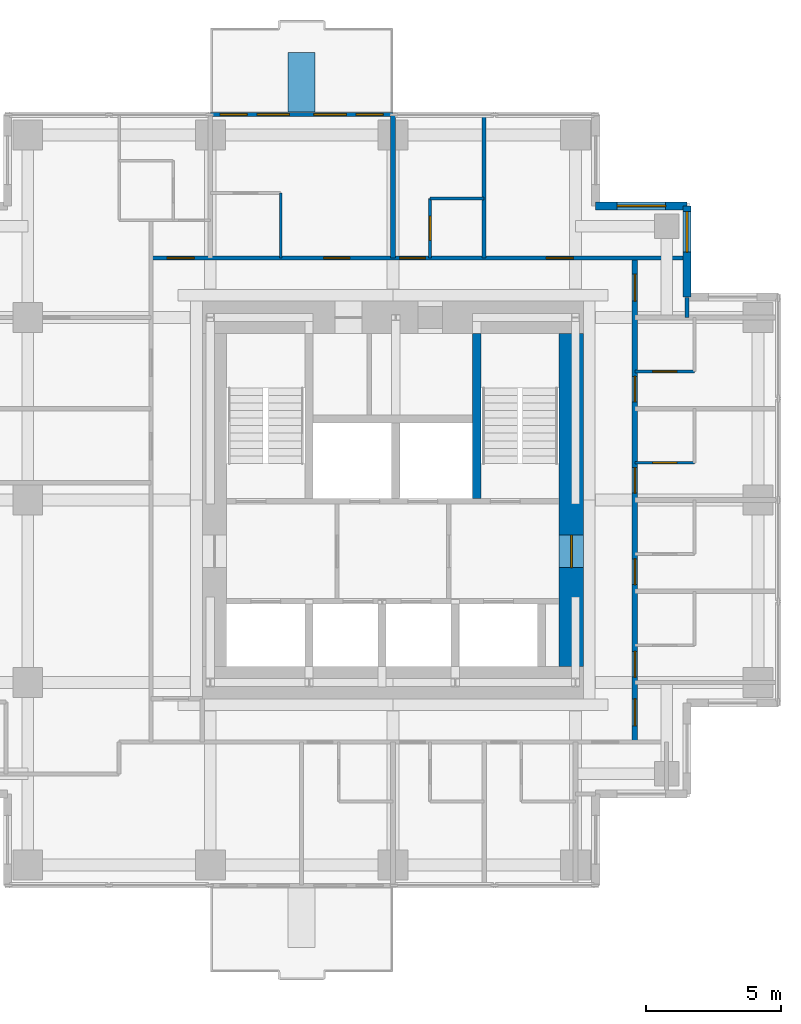
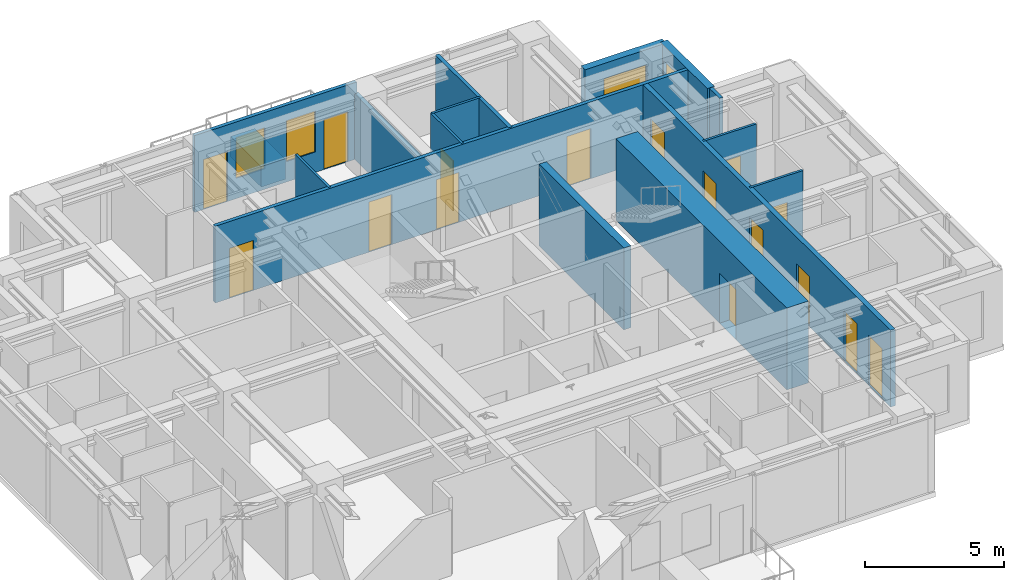
# One storey, part 6 of 8: 16 doors, 16 walls, 4 windows, 20 openings.
"""IFC4 building model written with IfcOpenShell, lengths in metres."""

from ifc_helpers import new_model, si_unit, direction, frame, frame_2d, origin, place, context, subcontext, project, spatial, rectangle, extrude, material, layer, layer_set, type_object, element, fill, save


model = new_model("IFC4")

# Units and contexts
model_context = context("Model", 3, precision=1e-05, world=origin(), true_north=direction((0.0, 1.0)))
body_context = subcontext(model_context, "Body", "Model", "MODEL_VIEW")
ifc_project = project(units=[si_unit("LENGTHUNIT", "METRE"), si_unit("AREAUNIT", "SQUARE_METRE"), si_unit("VOLUMEUNIT", "CUBIC_METRE"), si_unit("PLANEANGLEUNIT", "RADIAN"), si_unit("MASSUNIT", "GRAM", prefix="KILO")], contexts=[model_context])

# Site, building, storey
site_placement = place(None, origin())
site = spatial("IfcSite", under=ifc_project, at=site_placement, CompositionType="ELEMENT")
building_placement = place(site_placement, origin())
building = spatial("IfcBuilding", under=site, at=building_placement, Name="Nyansa Garden Tower", CompositionType="ELEMENT")
storey_placement = place(building_placement, frame((0.0, 0.0, 218.699951171875)))
storey = spatial("IfcBuildingStorey", under=building, at=storey_placement, Name="L59", CompositionType="ELEMENT", Elevation=218.699951171875)

# Wall
ifc_material_1 = material(Name="Dense blockwork, plastered both sides, 55 dB", Category="masonry")
ifc_layer_1 = layer(ifc_material_1, 0.175048828125)
ifc_layer_set_1 = layer_set([ifc_layer_1], Name="Acoustic party wall PW175")
wall_type_1 = type_object("IfcWallType", Name="Acoustic party wall PW175", PredefinedType="PARTITIONING", material=ifc_layer_set_1)
wall_1_placement = place(storey_placement, frame((20.25, 29.199951171875, 0.0), z_axis=(0.0, 0.0, 1.0), x_axis=(0.0, 1.0, 0.0)))
element("IfcWall", 1, at=wall_1_placement, inside=storey, type_object=wall_type_1, Name="Party wall", PredefinedType="PARTITIONING", context=body_context, shape_type="SweptSolid", body=[
    extrude(rectangle(XDim=5.283935546875, YDim=0.175048828125, at=frame_2d((2.64208984375, 0.0))), origin(), (0.0, 0.0, 1.0), 2.876953125),
])

# Wall, openings, doors, windows
ifc_material_2 = material(Name="Black aluminium framed glazed screen", Category="aluminium")
ifc_layer_2 = layer(ifc_material_2, 0.14990234375)
ifc_layer_set_2 = layer_set([ifc_layer_2], Name="Balcony screen wall BW150")
wall_type_2 = type_object("IfcWallType", Name="Balcony screen wall BW150", PredefinedType="SOLIDWALL", material=ifc_layer_set_2)
wall_2_placement = place(storey_placement, frame((13.5, 34.5, 0.0), z_axis=(0.0, 0.0, 1.0), x_axis=(1.0, 0.0, 0.0)))
wall_2 = element("IfcWall", 2, at=wall_2_placement, inside=storey, type_object=wall_type_2, Name="Glazed screen wall L59 N", PredefinedType="SOLIDWALL", context=body_context, shape_type="SweptSolid", body=[
    extrude(rectangle(XDim=6.75, YDim=0.14990234375, at=frame_2d((3.375, 0.0))), origin(), (0.0, 0.0, 1.0), 3.375),
])
opening_1_placement = place(wall_2_placement, frame((0.362548828125, 0.0, 0.0)))
opening_1 = element("IfcOpeningElement", 3, at=opening_1_placement, cuts=wall_2, Name="Opening D20", PredefinedType="OPENING", context=body_context, shape_type="SweptSolid", body=[
    extrude(rectangle(XDim=1.0, YDim=2.199951171875, at=frame_2d((0.5, 1.10009765625))), frame((0.0, 0.0849609375, 0.0), z_axis=(0.0, -1.0, 0.0), x_axis=(1.0, 0.0, 0.0)), (0.0, 0.0, 1.0), 0.169921875),
])
opening_2_placement = place(wall_2_placement, frame((1.72509765625, 0.0, 0.89990234375)))
opening_2 = element("IfcOpeningElement", 4, at=opening_2_placement, cuts=wall_2, Name="Opening W6", PredefinedType="OPENING", context=body_context, shape_type="SweptSolid", body=[
    extrude(rectangle(XDim=1.199951171875, YDim=1.800048828125, at=frame_2d((0.60009765625, 0.89990234375))), frame((0.0, 0.0849609375, 0.0), z_axis=(0.0, -1.0, 0.0), x_axis=(1.0, 0.0, 0.0)), (0.0, 0.0, 1.0), 0.169921875),
])
opening_3_placement = place(wall_2_placement, frame((5.387451171875, 0.0, 0.0)))
opening_3 = element("IfcOpeningElement", 5, at=opening_3_placement, cuts=wall_2, Name="Opening D20", PredefinedType="OPENING", context=body_context, shape_type="SweptSolid", body=[
    extrude(rectangle(XDim=1.0, YDim=2.199951171875, at=frame_2d((0.5, 1.10009765625))), frame((0.0, 0.0849609375, 0.0), z_axis=(0.0, -1.0, 0.0), x_axis=(1.0, 0.0, 0.0)), (0.0, 0.0, 1.0), 0.169921875),
])
opening_4_placement = place(wall_2_placement, frame((3.824951171875, 0.0, 0.89990234375)))
opening_4 = element("IfcOpeningElement", 6, at=opening_4_placement, cuts=wall_2, Name="Opening W6", PredefinedType="OPENING", context=body_context, shape_type="SweptSolid", body=[
    extrude(rectangle(XDim=1.199951171875, YDim=1.800048828125, at=frame_2d((0.60009765625, 0.89990234375))), frame((0.0, 0.0849609375, 0.0), z_axis=(0.0, -1.0, 0.0), x_axis=(1.0, 0.0, 0.0)), (0.0, 0.0, 1.0), 0.169921875),
])
ifc_material_3 = material(Name="Black aluminium framed glazed door", Category="aluminium")
door_type_1 = type_object("IfcDoorType", Name="Balcony door D20 1000x2200", OperationType="NOTDEFINED", PredefinedType="DOOR", material=ifc_material_3)
door_1_placement = place(opening_1_placement, origin())
door_1 = element("IfcDoor", 7, at=door_1_placement, inside=storey, type_object=door_type_1, Name="Balcony door L59", OperationType="SINGLE_SWING_LEFT", OverallHeight=2.199951171875, OverallWidth=1.0, PredefinedType="DOOR", context=body_context, shape_type="SweptSolid", body=[
    extrude(rectangle(XDim=1.0, YDim=2.199951171875, at=frame_2d((0.5, 1.10009765625))), frame((0.0, 0.02490234375, 0.0), z_axis=(0.0, -1.0, 0.0), x_axis=(1.0, 0.0, 0.0)), (0.0, 0.0, 1.0), 0.050048828125),
])
fill(opening_1, door_1)
door_2_placement = place(opening_3_placement, origin())
door_2 = element("IfcDoor", 8, at=door_2_placement, inside=storey, type_object=door_type_1, Name="Balcony door L59", OperationType="SINGLE_SWING_RIGHT", OverallHeight=2.199951171875, OverallWidth=1.0, PredefinedType="DOOR", context=body_context, shape_type="SweptSolid", body=[
    extrude(rectangle(XDim=1.0, YDim=2.199951171875, at=frame_2d((0.5, 1.10009765625))), frame((0.0, 0.02490234375, 0.0), z_axis=(0.0, -1.0, 0.0), x_axis=(1.0, 0.0, 0.0)), (0.0, 0.0, 1.0), 0.050048828125),
])
fill(opening_3, door_2)
ifc_material_4 = material(Name="Black aluminium frame, dark tinted double glazing", Category="aluminium")
window_type_1 = type_object("IfcWindowType", Name="Balcony window W6 1200x1800", PartitioningType="SINGLE_PANEL", PredefinedType="WINDOW", material=ifc_material_4)
window_1_placement = place(opening_2_placement, origin())
window_1 = element("IfcWindow", 9, at=window_1_placement, inside=storey, type_object=window_type_1, Name="Window L59", OverallHeight=1.800048828125, OverallWidth=1.199951171875, PartitioningType="SINGLE_PANEL", PredefinedType="WINDOW", context=body_context, shape_type="SweptSolid", body=[
    extrude(rectangle(XDim=1.199951171875, YDim=1.800048828125, at=frame_2d((0.60009765625, 0.89990234375))), frame((0.0, 0.030029296875, 0.0), z_axis=(0.0, -1.0, 0.0), x_axis=(1.0, 0.0, 0.0)), (0.0, 0.0, 1.0), 0.06005859375),
])
fill(opening_2, window_1)
window_2_placement = place(opening_4_placement, origin())
window_2 = element("IfcWindow", 10, at=window_2_placement, inside=storey, type_object=window_type_1, Name="Window L59", OverallHeight=1.800048828125, OverallWidth=1.199951171875, PartitioningType="SINGLE_PANEL", PredefinedType="WINDOW", context=body_context, shape_type="SweptSolid", body=[
    extrude(rectangle(XDim=1.199951171875, YDim=1.800048828125, at=frame_2d((0.60009765625, 0.89990234375))), frame((0.0, 0.030029296875, 0.0), z_axis=(0.0, -1.0, 0.0), x_axis=(1.0, 0.0, 0.0)), (0.0, 0.0, 1.0), 0.06005859375),
])
fill(opening_4, window_2)

# Wall
ifc_material_5 = material(Name="Concrete C70/85", Category="concrete")
ifc_layer_3 = layer(ifc_material_5, 0.300048828125)
ifc_layer_set_3 = layer_set([ifc_layer_3], Name="Core inner wall CI300")
wall_type_3 = type_object("IfcWallType", Name="Core inner wall CI300", PredefinedType="SHEAR", material=ifc_layer_set_3)
wall_3_placement = place(storey_placement, frame((23.35009765625, 20.300048828125, 0.0), z_axis=(0.0, 0.0, 1.0), x_axis=(0.0, 1.0, 0.0)))
element("IfcWall", 11, at=wall_3_placement, inside=storey, type_object=wall_type_3, Name="Core inner wall L59", PredefinedType="SHEAR", context=body_context, shape_type="SweptSolid", body=[
    extrude(rectangle(XDim=6.099853515625, YDim=0.300048828125, at=frame_2d((3.0498046875, 0.0))), origin(), (0.0, 0.0, 1.0), 3.60009765625),
])

# Wall, opening, door
ifc_material_6 = material(Name="Concrete C80/95", Category="concrete")
ifc_layer_4 = layer(ifc_material_6, 0.89990234375)
ifc_layer_set_4 = layer_set([ifc_layer_4], Name="Core wall CW900")
wall_type_4 = type_object("IfcWallType", Name="Core wall CW900", PredefinedType="SHEAR", material=ifc_layer_set_4)
wall_4_placement = place(storey_placement, frame((26.85009765625, 14.10009765625, 0.0), z_axis=(0.0, 0.0, 1.0), x_axis=(0.0, 1.0, 0.0)))
wall_4 = element("IfcWall", 12, at=wall_4_placement, inside=storey, type_object=wall_type_4, Name="Core wall E L59", PredefinedType="SHEAR", context=body_context, shape_type="SweptSolid", body=[
    extrude(rectangle(XDim=12.2998046875, YDim=0.89990234375, at=frame_2d((6.14990234375, 0.0))), origin(), (0.0, 0.0, 1.0), 3.60009765625),
])
opening_5_placement = place(wall_4_placement, frame((3.64990234375, 0.0, 0.0)))
opening_5 = element("IfcOpeningElement", 13, at=opening_5_placement, cuts=wall_4, Name="Opening D06", PredefinedType="OPENING", context=body_context, shape_type="SweptSolid", body=[
    extrude(rectangle(XDim=1.199951171875, YDim=2.199951171875, at=frame_2d((0.60009765625, 1.10009765625))), frame((0.0, 0.4599609375, 0.0), z_axis=(0.0, -1.0, 0.0), x_axis=(1.0, 0.0, 0.0)), (0.0, 0.0, 1.0), 0.919921875),
])
ifc_material_7 = material(Name="Steel door, 120 minute fire resisting", Category="steel")
door_type_2 = type_object("IfcDoorType", Name="Lobby door D06 1200x2200", OperationType="DOUBLE_DOOR_SINGLE_SWING", PredefinedType="DOOR", material=ifc_material_7)
door_3_placement = place(opening_5_placement, origin())
door_3 = element("IfcDoor", 14, at=door_3_placement, inside=storey, type_object=door_type_2, Name="Lift lobby door east", OperationType="DOUBLE_DOOR_SINGLE_SWING", OverallHeight=2.199951171875, OverallWidth=1.199951171875, PredefinedType="DOOR", context=body_context, shape_type="SweptSolid", body=[
    extrude(rectangle(XDim=1.199951171875, YDim=2.199951171875, at=frame_2d((0.60009765625, 1.10009765625))), frame((0.0, 0.02490234375, 0.0), z_axis=(0.0, -1.0, 0.0), x_axis=(1.0, 0.0, 0.0)), (0.0, 0.0, 1.0), 0.050048828125),
])
fill(opening_5, door_3)

# Wall, openings, doors
ifc_material_8 = material(Name="Concrete blockwork, plastered, 60 minute fire resisting", Category="masonry")
ifc_layer_5 = layer(ifc_material_8, 0.199951171875)
ifc_layer_set_5 = layer_set([ifc_layer_5], Name="Corridor wall FW200")
wall_type_5 = type_object("IfcWallType", Name="Corridor wall FW200", PredefinedType="PARTITIONING", material=ifc_layer_set_5)
wall_5_placement = place(storey_placement, frame((29.199951171875, 11.300048828125, 0.0), z_axis=(0.0, 0.0, 1.0), x_axis=(0.0, 1.0, 0.0)))
wall_5 = element("IfcWall", 15, at=wall_5_placement, inside=storey, type_object=wall_type_5, Name="Corridor wall", PredefinedType="PARTITIONING", context=body_context, shape_type="SweptSolid", body=[
    extrude(rectangle(XDim=17.89990234375, YDim=0.199951171875, at=frame_2d((8.949951171875, 0.0))), origin(), (0.0, 0.0, 1.0), 3.375),
])
opening_6_placement = place(wall_5_placement, frame((0.60009765625, 0.0, 0.0)))
opening_6 = element("IfcOpeningElement", 16, at=opening_6_placement, cuts=wall_5, Name="Opening D03", PredefinedType="OPENING", context=body_context, shape_type="SweptSolid", body=[
    extrude(rectangle(XDim=1.0, YDim=2.199951171875, at=frame_2d((0.5, 1.10009765625))), frame((0.0, 0.10986328125, 0.0), z_axis=(0.0, -1.0, 0.0), x_axis=(1.0, 0.0, 0.0)), (0.0, 0.0, 1.0), 0.219970703125),
])
opening_7_placement = place(wall_5_placement, frame((2.39990234375, 0.0, 0.0)))
opening_7 = element("IfcOpeningElement", 17, at=opening_7_placement, cuts=wall_5, Name="Opening D14", PredefinedType="OPENING", context=body_context, shape_type="SweptSolid", body=[
    extrude(rectangle(XDim=0.949951171875, YDim=2.199951171875, at=frame_2d((0.47509765625, 1.10009765625))), frame((0.0, 0.10986328125, 0.0), z_axis=(0.0, -1.0, 0.0), x_axis=(1.0, 0.0, 0.0)), (0.0, 0.0, 1.0), 0.219970703125),
])
opening_8_placement = place(wall_5_placement, frame((5.824951171875, 0.0, 0.0)))
opening_8 = element("IfcOpeningElement", 18, at=opening_8_placement, cuts=wall_5, Name="Opening D14", PredefinedType="OPENING", context=body_context, shape_type="SweptSolid", body=[
    extrude(rectangle(XDim=0.949951171875, YDim=2.199951171875, at=frame_2d((0.47509765625, 1.10009765625))), frame((0.0, 0.10986328125, 0.0), z_axis=(0.0, -1.0, 0.0), x_axis=(1.0, 0.0, 0.0)), (0.0, 0.0, 1.0), 0.219970703125),
])
opening_9_placement = place(wall_5_placement, frame((9.199951171875, 0.0, 0.0)))
opening_9 = element("IfcOpeningElement", 19, at=opening_9_placement, cuts=wall_5, Name="Opening D14", PredefinedType="OPENING", context=body_context, shape_type="SweptSolid", body=[
    extrude(rectangle(XDim=0.949951171875, YDim=2.199951171875, at=frame_2d((0.47509765625, 1.10009765625))), frame((0.0, 0.10986328125, 0.0), z_axis=(0.0, -1.0, 0.0), x_axis=(1.0, 0.0, 0.0)), (0.0, 0.0, 1.0), 0.219970703125),
])
opening_10_placement = place(wall_5_placement, frame((12.574951171875, 0.0, 0.0)))
opening_10 = element("IfcOpeningElement", 20, at=opening_10_placement, cuts=wall_5, Name="Opening D14", PredefinedType="OPENING", context=body_context, shape_type="SweptSolid", body=[
    extrude(rectangle(XDim=0.949951171875, YDim=2.199951171875, at=frame_2d((0.47509765625, 1.10009765625))), frame((0.0, 0.10986328125, 0.0), z_axis=(0.0, -1.0, 0.0), x_axis=(1.0, 0.0, 0.0)), (0.0, 0.0, 1.0), 0.219970703125),
])
opening_11_placement = place(wall_5_placement, frame((16.300048828125, 0.0, 0.0)))
opening_11 = element("IfcOpeningElement", 21, at=opening_11_placement, cuts=wall_5, Name="Opening D03", PredefinedType="OPENING", context=body_context, shape_type="SweptSolid", body=[
    extrude(rectangle(XDim=1.0, YDim=2.199951171875, at=frame_2d((0.5, 1.10009765625))), frame((0.0, 0.10986328125, 0.0), z_axis=(0.0, -1.0, 0.0), x_axis=(1.0, 0.0, 0.0)), (0.0, 0.0, 1.0), 0.219970703125),
])
ifc_material_9 = material(Name="Timber flush door, 60 minute fire resisting", Category="wood")
door_type_3 = type_object("IfcDoorType", Name="Cluster entrance door D03 1000x2200", OperationType="SINGLE_SWING_LEFT", PredefinedType="DOOR", material=ifc_material_9)
door_4_placement = place(opening_6_placement, origin())
door_4 = element("IfcDoor", 22, at=door_4_placement, inside=storey, type_object=door_type_3, Name="Door L59-025", OperationType="SINGLE_SWING_LEFT", OverallHeight=2.199951171875, OverallWidth=1.0, PredefinedType="DOOR", context=body_context, shape_type="SweptSolid", body=[
    extrude(rectangle(XDim=1.0, YDim=2.199951171875, at=frame_2d((0.5, 1.10009765625))), frame((0.0, 0.02490234375, 0.0), z_axis=(0.0, -1.0, 0.0), x_axis=(1.0, 0.0, 0.0)), (0.0, 0.0, 1.0), 0.050048828125),
])
fill(opening_6, door_4)
door_5_placement = place(opening_11_placement, origin())
door_5 = element("IfcDoor", 23, at=door_5_placement, inside=storey, type_object=door_type_3, Name="Door L59-034", OperationType="SINGLE_SWING_LEFT", OverallHeight=2.199951171875, OverallWidth=1.0, PredefinedType="DOOR", context=body_context, shape_type="SweptSolid", body=[
    extrude(rectangle(XDim=1.0, YDim=2.199951171875, at=frame_2d((0.5, 1.10009765625))), frame((0.0, 0.02490234375, 0.0), z_axis=(0.0, -1.0, 0.0), x_axis=(1.0, 0.0, 0.0)), (0.0, 0.0, 1.0), 0.050048828125),
])
fill(opening_11, door_5)
ifc_material_10 = material(Name="Timber flush door, 60 minute fire resisting, self-closing", Category="wood")
door_type_4 = type_object("IfcDoorType", Name="Studio entrance door D14 950x2200", OperationType="SINGLE_SWING_LEFT", PredefinedType="DOOR", material=ifc_material_10)
door_6_placement = place(opening_7_placement, origin())
door_6 = element("IfcDoor", 24, at=door_6_placement, inside=storey, type_object=door_type_4, Name="Door L59-026", OperationType="SINGLE_SWING_LEFT", OverallHeight=2.199951171875, OverallWidth=0.949951171875, PredefinedType="DOOR", context=body_context, shape_type="SweptSolid", body=[
    extrude(rectangle(XDim=0.949951171875, YDim=2.199951171875, at=frame_2d((0.47509765625, 1.10009765625))), frame((0.0, 0.02490234375, 0.0), z_axis=(0.0, -1.0, 0.0), x_axis=(1.0, 0.0, 0.0)), (0.0, 0.0, 1.0), 0.050048828125),
])
fill(opening_7, door_6)
door_7_placement = place(opening_8_placement, origin())
door_7 = element("IfcDoor", 25, at=door_7_placement, inside=storey, type_object=door_type_4, Name="Door L59-028", OperationType="SINGLE_SWING_LEFT", OverallHeight=2.199951171875, OverallWidth=0.949951171875, PredefinedType="DOOR", context=body_context, shape_type="SweptSolid", body=[
    extrude(rectangle(XDim=0.949951171875, YDim=2.199951171875, at=frame_2d((0.47509765625, 1.10009765625))), frame((0.0, 0.02490234375, 0.0), z_axis=(0.0, -1.0, 0.0), x_axis=(1.0, 0.0, 0.0)), (0.0, 0.0, 1.0), 0.050048828125),
])
fill(opening_8, door_7)
door_8_placement = place(opening_9_placement, origin())
door_8 = element("IfcDoor", 26, at=door_8_placement, inside=storey, type_object=door_type_4, Name="Door L59-030", OperationType="SINGLE_SWING_LEFT", OverallHeight=2.199951171875, OverallWidth=0.949951171875, PredefinedType="DOOR", context=body_context, shape_type="SweptSolid", body=[
    extrude(rectangle(XDim=0.949951171875, YDim=2.199951171875, at=frame_2d((0.47509765625, 1.10009765625))), frame((0.0, 0.02490234375, 0.0), z_axis=(0.0, -1.0, 0.0), x_axis=(1.0, 0.0, 0.0)), (0.0, 0.0, 1.0), 0.050048828125),
])
fill(opening_9, door_8)
door_9_placement = place(opening_10_placement, origin())
door_9 = element("IfcDoor", 27, at=door_9_placement, inside=storey, type_object=door_type_4, Name="Door L59-032", OperationType="SINGLE_SWING_LEFT", OverallHeight=2.199951171875, OverallWidth=0.949951171875, PredefinedType="DOOR", context=body_context, shape_type="SweptSolid", body=[
    extrude(rectangle(XDim=0.949951171875, YDim=2.199951171875, at=frame_2d((0.47509765625, 1.10009765625))), frame((0.0, 0.02490234375, 0.0), z_axis=(0.0, -1.0, 0.0), x_axis=(1.0, 0.0, 0.0)), (0.0, 0.0, 1.0), 0.050048828125),
])
fill(opening_10, door_9)

ifc_material_11 = material(Name="Blockwork, plastered both sides", Category="masonry")
ifc_layer_6 = layer(ifc_material_11, 0.14990234375)
ifc_layer_set_6 = layer_set([ifc_layer_6], Name="Partition PW150")
wall_type_6 = type_object("IfcWallType", Name="Partition PW150", PredefinedType="PARTITIONING", material=ifc_layer_set_6)
wall_6_placement = place(storey_placement, frame((11.300048828125, 29.199951171875, 0.0), z_axis=(0.0, 0.0, 1.0), x_axis=(1.0, 0.0, 0.0)))
wall_6 = element("IfcWall", 28, at=wall_6_placement, inside=storey, type_object=wall_type_6, Name="Partition", PredefinedType="PARTITIONING", context=body_context, shape_type="SweptSolid", body=[
    extrude(rectangle(XDim=19.808837890625, YDim=0.14990234375, at=frame_2d((9.904296875, 0.0))), origin(), (0.0, 0.0, 1.0), 3.375),
])
opening_12_placement = place(wall_6_placement, frame((14.625, 0.0, 0.0)))
opening_12 = element("IfcOpeningElement", 29, at=opening_12_placement, cuts=wall_6, Name="Opening D03", PredefinedType="OPENING", context=body_context, shape_type="SweptSolid", body=[
    extrude(rectangle(XDim=1.0, YDim=2.199951171875, at=frame_2d((0.5, 1.10009765625))), frame((0.0, 0.0849609375, 0.0), z_axis=(0.0, -1.0, 0.0), x_axis=(1.0, 0.0, 0.0)), (0.0, 0.0, 1.0), 0.169921875),
])
opening_13_placement = place(wall_6_placement, frame((6.39990234375, 0.0, 0.0)))
opening_13 = element("IfcOpeningElement", 30, at=opening_13_placement, cuts=wall_6, Name="Opening D14", PredefinedType="OPENING", context=body_context, shape_type="SweptSolid", body=[
    extrude(rectangle(XDim=0.949951171875, YDim=2.199951171875, at=frame_2d((0.47509765625, 1.10009765625))), frame((0.0, 0.0849609375, 0.0), z_axis=(0.0, -1.0, 0.0), x_axis=(1.0, 0.0, 0.0)), (0.0, 0.0, 1.0), 0.169921875),
])
opening_14_placement = place(wall_6_placement, frame((9.199951171875, 0.0, 0.0)))
opening_14 = element("IfcOpeningElement", 31, at=opening_14_placement, cuts=wall_6, Name="Opening D14", PredefinedType="OPENING", context=body_context, shape_type="SweptSolid", body=[
    extrude(rectangle(XDim=0.949951171875, YDim=2.199951171875, at=frame_2d((0.47509765625, 1.10009765625))), frame((0.0, 0.0849609375, 0.0), z_axis=(0.0, -1.0, 0.0), x_axis=(1.0, 0.0, 0.0)), (0.0, 0.0, 1.0), 0.169921875),
])
opening_15_placement = place(wall_6_placement, frame((0.60009765625, 0.0, 0.0)))
opening_15 = element("IfcOpeningElement", 32, at=opening_15_placement, cuts=wall_6, Name="Opening D03", PredefinedType="OPENING", context=body_context, shape_type="SweptSolid", body=[
    extrude(rectangle(XDim=1.0, YDim=2.199951171875, at=frame_2d((0.5, 1.10009765625))), frame((0.0, 0.0849609375, 0.0), z_axis=(0.0, -1.0, 0.0), x_axis=(1.0, 0.0, 0.0)), (0.0, 0.0, 1.0), 0.169921875),
])
door_10_placement = place(opening_12_placement, origin())
door_10 = element("IfcDoor", 33, at=door_10_placement, inside=storey, type_object=door_type_3, Name="Door L59-035", OperationType="SINGLE_SWING_LEFT", OverallHeight=2.199951171875, OverallWidth=1.0, PredefinedType="DOOR", context=body_context, shape_type="SweptSolid", body=[
    extrude(rectangle(XDim=1.0, YDim=2.199951171875, at=frame_2d((0.5, 1.10009765625))), frame((0.0, 0.02490234375, 0.0), z_axis=(0.0, -1.0, 0.0), x_axis=(1.0, 0.0, 0.0)), (0.0, 0.0, 1.0), 0.050048828125),
])
fill(opening_12, door_10)
door_11_placement = place(opening_15_placement, origin())
door_11 = element("IfcDoor", 34, at=door_11_placement, inside=storey, type_object=door_type_3, Name="Door L59-042", OperationType="SINGLE_SWING_LEFT", OverallHeight=2.199951171875, OverallWidth=1.0, PredefinedType="DOOR", context=body_context, shape_type="SweptSolid", body=[
    extrude(rectangle(XDim=1.0, YDim=2.199951171875, at=frame_2d((0.5, 1.10009765625))), frame((0.0, 0.02490234375, 0.0), z_axis=(0.0, -1.0, 0.0), x_axis=(1.0, 0.0, 0.0)), (0.0, 0.0, 1.0), 0.050048828125),
])
fill(opening_15, door_11)
door_12_placement = place(opening_13_placement, origin())
door_12 = element("IfcDoor", 35, at=door_12_placement, inside=storey, type_object=door_type_4, Name="Door L59-036", OperationType="SINGLE_SWING_LEFT", OverallHeight=2.199951171875, OverallWidth=0.949951171875, PredefinedType="DOOR", context=body_context, shape_type="SweptSolid", body=[
    extrude(rectangle(XDim=0.949951171875, YDim=2.199951171875, at=frame_2d((0.47509765625, 1.10009765625))), frame((0.0, 0.02490234375, 0.0), z_axis=(0.0, -1.0, 0.0), x_axis=(1.0, 0.0, 0.0)), (0.0, 0.0, 1.0), 0.050048828125),
])
fill(opening_13, door_12)
door_13_placement = place(opening_14_placement, origin())
door_13 = element("IfcDoor", 36, at=door_13_placement, inside=storey, type_object=door_type_4, Name="Door L59-040", OperationType="SINGLE_SWING_LEFT", OverallHeight=2.199951171875, OverallWidth=0.949951171875, PredefinedType="DOOR", context=body_context, shape_type="SweptSolid", body=[
    extrude(rectangle(XDim=0.949951171875, YDim=2.199951171875, at=frame_2d((0.47509765625, 1.10009765625))), frame((0.0, 0.02490234375, 0.0), z_axis=(0.0, -1.0, 0.0), x_axis=(1.0, 0.0, 0.0)), (0.0, 0.0, 1.0), 0.050048828125),
])
fill(opening_14, door_13)

# Walls
wall_7_placement = place(storey_placement, frame((23.625, 29.199951171875, 0.0), z_axis=(0.0, 0.0, 1.0), x_axis=(0.0, 1.0, 0.0)))
element("IfcWall", 37, at=wall_7_placement, inside=storey, type_object=wall_type_6, Name="Partition", PredefinedType="PARTITIONING", context=body_context, shape_type="SweptSolid", body=[
    extrude(rectangle(XDim=5.283935546875, YDim=0.14990234375, at=frame_2d((2.64208984375, 0.0))), origin(), (0.0, 0.0, 1.0), 3.375),
])
wall_8_placement = place(storey_placement, frame((31.125, 27.0, 0.0), z_axis=(0.0, 0.0, 1.0), x_axis=(0.0, 1.0, 0.0)))
element("IfcWall", 38, at=wall_8_placement, inside=storey, type_object=wall_type_6, Name="Partition", PredefinedType="PARTITIONING", context=body_context, shape_type="SweptSolid", body=[
    extrude(rectangle(XDim=0.73388671875, YDim=0.14990234375, at=frame_2d((0.366943359375, 0.0))), origin(), (0.0, 0.0, 1.0), 3.375),
])

# Wall, opening, window
ifc_material_12 = material(Name="Turquoise glazed tile on concrete blockwork", Category="masonry")
ifc_layer_7 = layer(ifc_material_12, 0.300048828125)
ifc_layer_set_7 = layer_set([ifc_layer_7], Name="Tiled corner wall TW300")
wall_type_7 = type_object("IfcWallType", Name="Tiled corner wall TW300", PredefinedType="SOLIDWALL", material=ifc_layer_set_7)
wall_9_placement = place(storey_placement, frame((31.125, 27.75, 0.0), z_axis=(0.0, 0.0, 1.0), x_axis=(0.0, 1.0, 0.0)))
wall_9 = element("IfcWall", 39, at=wall_9_placement, inside=storey, type_object=wall_type_7, Name="Tiled corner wall L59", PredefinedType="SOLIDWALL", context=body_context, shape_type="SweptSolid", body=[
    extrude(rectangle(XDim=3.375, YDim=0.300048828125, at=frame_2d((1.6875, 0.0))), origin(), (0.0, 0.0, 1.0), 3.375),
])
opening_16_placement = place(wall_9_placement, frame((1.66259765625, 0.0, 0.89990234375)))
opening_16 = element("IfcOpeningElement", 40, at=opening_16_placement, cuts=wall_9, Name="Opening W1", PredefinedType="OPENING", context=body_context, shape_type="SweptSolid", body=[
    extrude(rectangle(XDim=1.5, YDim=1.800048828125, at=frame_2d((0.75, 0.89990234375))), frame((0.0, 0.159912109375, 0.0), z_axis=(0.0, -1.0, 0.0), x_axis=(1.0, 0.0, 0.0)), (0.0, 0.0, 1.0), 0.320068359375),
])
ifc_material_13 = material(Name="Black aluminium frame, dark tinted double glazing", Category="aluminium")
window_type_2 = type_object("IfcWindowType", Name="Window W1 1500x1800", PartitioningType="SINGLE_PANEL", PredefinedType="WINDOW", material=ifc_material_13)
window_3_placement = place(opening_16_placement, origin())
window_3 = element("IfcWindow", 41, at=window_3_placement, inside=storey, type_object=window_type_2, Name="Corner window L59", OverallHeight=1.800048828125, OverallWidth=1.5, PartitioningType="SINGLE_PANEL", PredefinedType="WINDOW", context=body_context, shape_type="SweptSolid", body=[
    extrude(rectangle(XDim=1.5, YDim=1.800048828125, at=frame_2d((0.75, 0.89990234375))), frame((0.0, 0.030029296875, 0.0), z_axis=(0.0, -1.0, 0.0), x_axis=(1.0, 0.0, 0.0)), (0.0, 0.0, 1.0), 0.06005859375),
])
fill(opening_16, window_3)

wall_10_placement = place(storey_placement, frame((31.125, 31.125, 0.0), z_axis=(0.0, 0.0, 1.0), x_axis=(-1.0, 0.0, 0.0)))
wall_10 = element("IfcWall", 42, at=wall_10_placement, inside=storey, type_object=wall_type_7, Name="Tiled corner wall L59", PredefinedType="SOLIDWALL", context=body_context, shape_type="SweptSolid", body=[
    extrude(rectangle(XDim=3.375, YDim=0.300048828125, at=frame_2d((1.6875, 0.0))), origin(), (0.0, 0.0, 1.0), 3.375),
])
opening_17_placement = place(wall_10_placement, frame((0.78759765625, 0.0, 0.60009765625)))
opening_17 = element("IfcOpeningElement", 43, at=opening_17_placement, cuts=wall_10, Name="Opening W2", PredefinedType="OPENING", context=body_context, shape_type="SweptSolid", body=[
    extrude(rectangle(XDim=1.800048828125, YDim=2.10009765625, at=frame_2d((0.89990234375, 1.050048828125))), frame((0.0, 0.159912109375, 0.0), z_axis=(0.0, -1.0, 0.0), x_axis=(1.0, 0.0, 0.0)), (0.0, 0.0, 1.0), 0.320068359375),
])
ifc_material_14 = material(Name="Black aluminium frame, dark tinted double glazing", Category="aluminium")
window_type_3 = type_object("IfcWindowType", Name="Window W2 1800x2100", PartitioningType="SINGLE_PANEL", PredefinedType="WINDOW", material=ifc_material_14)
window_4_placement = place(opening_17_placement, origin())
window_4 = element("IfcWindow", 44, at=window_4_placement, inside=storey, type_object=window_type_3, Name="Corner window L59", OverallHeight=2.10009765625, OverallWidth=1.800048828125, PartitioningType="SINGLE_PANEL", PredefinedType="WINDOW", context=body_context, shape_type="SweptSolid", body=[
    extrude(rectangle(XDim=1.800048828125, YDim=2.10009765625, at=frame_2d((0.89990234375, 1.050048828125))), frame((0.0, 0.030029296875, 0.0), z_axis=(0.0, -1.0, 0.0), x_axis=(1.0, 0.0, 0.0)), (0.0, 0.0, 1.0), 0.06005859375),
])
fill(opening_17, window_4)

# Walls
ifc_material_15 = material(Name="Concrete C40/50 planter, waterproofed", Category="concrete")
ifc_layer_8 = layer(ifc_material_15, 1.0)
ifc_layer_set_8 = layer_set([ifc_layer_8], Name="Tree planter TP1")
wall_type_8 = type_object("IfcWallType", Name="Tree planter TP1", PredefinedType="USERDEFINED", material=ifc_layer_set_8)
wall_11_placement = place(storey_placement, frame((16.875, 34.60009765625, 0.0), z_axis=(0.0, 0.0, 1.0), x_axis=(0.0, 1.0, 0.0)))
element("IfcWall", 45, at=wall_11_placement, inside=storey, type_object=wall_type_8, Name="Tree planter L59", ObjectType="TREE PLANTER", PredefinedType="USERDEFINED", context=body_context, shape_type="SweptSolid", body=[
    extrude(rectangle(XDim=2.199951171875, YDim=1.0, at=frame_2d((1.10009765625, 0.0))), origin(), (0.0, 0.0, 1.0), 0.900146484375),
])
ifc_material_16 = material(Name="Moisture resistant board on steel studs, tiled", Category="steel")
ifc_layer_9 = layer(ifc_material_16, 0.10009765625)
ifc_layer_set_9 = layer_set([ifc_layer_9], Name="Wet wall PW100")
wall_type_9 = type_object("IfcWallType", Name="Wet wall PW100", PredefinedType="PARTITIONING", material=ifc_layer_set_9)
wall_12_placement = place(storey_placement, frame((16.10009765625, 29.199951171875, 0.0), z_axis=(0.0, 0.0, 1.0), x_axis=(0.0, 1.0, 0.0)))
element("IfcWall", 46, at=wall_12_placement, inside=storey, type_object=wall_type_9, Name="Wet wall", PredefinedType="PARTITIONING", context=body_context, shape_type="SweptSolid", body=[
    extrude(rectangle(XDim=2.400146484375, YDim=0.10009765625, at=frame_2d((1.2001953125, 0.0))), origin(), (0.0, 0.0, 1.0), 3.375),
])

# Wall, opening, door
wall_13_placement = place(storey_placement, frame((21.625, 29.199951171875, 0.0), z_axis=(0.0, 0.0, 1.0), x_axis=(0.0, 1.0, 0.0)))
wall_13 = element("IfcWall", 47, at=wall_13_placement, inside=storey, type_object=wall_type_9, Name="Wet wall", PredefinedType="PARTITIONING", context=body_context, shape_type="SweptSolid", body=[
    extrude(rectangle(XDim=2.199951171875, YDim=0.10009765625, at=frame_2d((1.10009765625, 0.0))), origin(), (0.0, 0.0, 1.0), 3.375),
])
opening_18_placement = place(wall_13_placement, frame((0.64990234375, 0.0, 0.0)))
opening_18 = element("IfcOpeningElement", 48, at=opening_18_placement, cuts=wall_13, Name="Opening D02", PredefinedType="OPENING", context=body_context, shape_type="SweptSolid", body=[
    extrude(rectangle(XDim=0.89990234375, YDim=2.199951171875, at=frame_2d((0.449951171875, 1.10009765625))), frame((0.0, 0.06005859375, 0.0), z_axis=(0.0, -1.0, 0.0), x_axis=(1.0, 0.0, 0.0)), (0.0, 0.0, 1.0), 0.1201171875),
])
ifc_material_17 = material(Name="Timber flush door", Category="wood")
door_type_5 = type_object("IfcDoorType", Name="En-suite door D02 900x2200", OperationType="SINGLE_SWING_RIGHT", PredefinedType="DOOR", material=ifc_material_17)
door_14_placement = place(opening_18_placement, origin())
door_14 = element("IfcDoor", 49, at=door_14_placement, inside=storey, type_object=door_type_5, Name="Door L59-041", OperationType="SINGLE_SWING_RIGHT", OverallHeight=2.199951171875, OverallWidth=0.89990234375, PredefinedType="DOOR", context=body_context, shape_type="SweptSolid", body=[
    extrude(rectangle(XDim=0.89990234375, YDim=2.199951171875, at=frame_2d((0.449951171875, 1.10009765625))), frame((0.0, 0.02490234375, 0.0), z_axis=(0.0, -1.0, 0.0), x_axis=(1.0, 0.0, 0.0)), (0.0, 0.0, 1.0), 0.050048828125),
])
fill(opening_18, door_14)

# Wall
wall_14_placement = place(storey_placement, frame((21.625, 31.39990234375, 0.0), z_axis=(0.0, 0.0, 1.0), x_axis=(1.0, 0.0, 0.0)))
element("IfcWall", 50, at=wall_14_placement, inside=storey, type_object=wall_type_9, Name="Wet wall", PredefinedType="PARTITIONING", context=body_context, shape_type="SweptSolid", body=[
    extrude(rectangle(XDim=2.0, YDim=0.10009765625, at=frame_2d((1.0, 0.0))), origin(), (0.0, 0.0, 1.0), 3.375),
])

# Wall, opening, door
wall_15_placement = place(storey_placement, frame((29.199951171875, 21.625, 0.0), z_axis=(0.0, 0.0, 1.0), x_axis=(1.0, 0.0, 0.0)))
wall_15 = element("IfcWall", 51, at=wall_15_placement, inside=storey, type_object=wall_type_9, Name="Wet wall", PredefinedType="PARTITIONING", context=body_context, shape_type="SweptSolid", body=[
    extrude(rectangle(XDim=2.199951171875, YDim=0.10009765625, at=frame_2d((1.10009765625, 0.0))), origin(), (0.0, 0.0, 1.0), 3.375),
])
opening_19_placement = place(wall_15_placement, frame((0.64990234375, 0.0, 0.0)))
opening_19 = element("IfcOpeningElement", 52, at=opening_19_placement, cuts=wall_15, Name="Opening D02", PredefinedType="OPENING", context=body_context, shape_type="SweptSolid", body=[
    extrude(rectangle(XDim=0.89990234375, YDim=2.199951171875, at=frame_2d((0.449951171875, 1.10009765625))), frame((0.0, 0.06005859375, 0.0), z_axis=(0.0, -1.0, 0.0), x_axis=(1.0, 0.0, 0.0)), (0.0, 0.0, 1.0), 0.1201171875),
])
door_15_placement = place(opening_19_placement, origin())
door_15 = element("IfcDoor", 53, at=door_15_placement, inside=storey, type_object=door_type_5, Name="Door L59-031", OperationType="SINGLE_SWING_RIGHT", OverallHeight=2.199951171875, OverallWidth=0.89990234375, PredefinedType="DOOR", context=body_context, shape_type="SweptSolid", body=[
    extrude(rectangle(XDim=0.89990234375, YDim=2.199951171875, at=frame_2d((0.449951171875, 1.10009765625))), frame((0.0, 0.02490234375, 0.0), z_axis=(0.0, -1.0, 0.0), x_axis=(1.0, 0.0, 0.0)), (0.0, 0.0, 1.0), 0.050048828125),
])
fill(opening_19, door_15)

wall_16_placement = place(storey_placement, frame((29.199951171875, 25.0, 0.0), z_axis=(0.0, 0.0, 1.0), x_axis=(1.0, 0.0, 0.0)))
wall_16 = element("IfcWall", 54, at=wall_16_placement, inside=storey, type_object=wall_type_9, Name="Wet wall", PredefinedType="PARTITIONING", context=body_context, shape_type="SweptSolid", body=[
    extrude(rectangle(XDim=2.199951171875, YDim=0.10009765625, at=frame_2d((1.10009765625, 0.0))), origin(), (0.0, 0.0, 1.0), 3.375),
])
opening_20_placement = place(wall_16_placement, frame((0.64990234375, 0.0, 0.0)))
opening_20 = element("IfcOpeningElement", 55, at=opening_20_placement, cuts=wall_16, Name="Opening D02", PredefinedType="OPENING", context=body_context, shape_type="SweptSolid", body=[
    extrude(rectangle(XDim=0.89990234375, YDim=2.199951171875, at=frame_2d((0.449951171875, 1.10009765625))), frame((0.0, 0.06005859375, 0.0), z_axis=(0.0, -1.0, 0.0), x_axis=(1.0, 0.0, 0.0)), (0.0, 0.0, 1.0), 0.1201171875),
])
door_16_placement = place(opening_20_placement, origin())
door_16 = element("IfcDoor", 56, at=door_16_placement, inside=storey, type_object=door_type_5, Name="Door L59-033", OperationType="SINGLE_SWING_RIGHT", OverallHeight=2.199951171875, OverallWidth=0.89990234375, PredefinedType="DOOR", context=body_context, shape_type="SweptSolid", body=[
    extrude(rectangle(XDim=0.89990234375, YDim=2.199951171875, at=frame_2d((0.449951171875, 1.10009765625))), frame((0.0, 0.02490234375, 0.0), z_axis=(0.0, -1.0, 0.0), x_axis=(1.0, 0.0, 0.0)), (0.0, 0.0, 1.0), 0.050048828125),
])
fill(opening_20, door_16)

save(model, "model.ifc")
